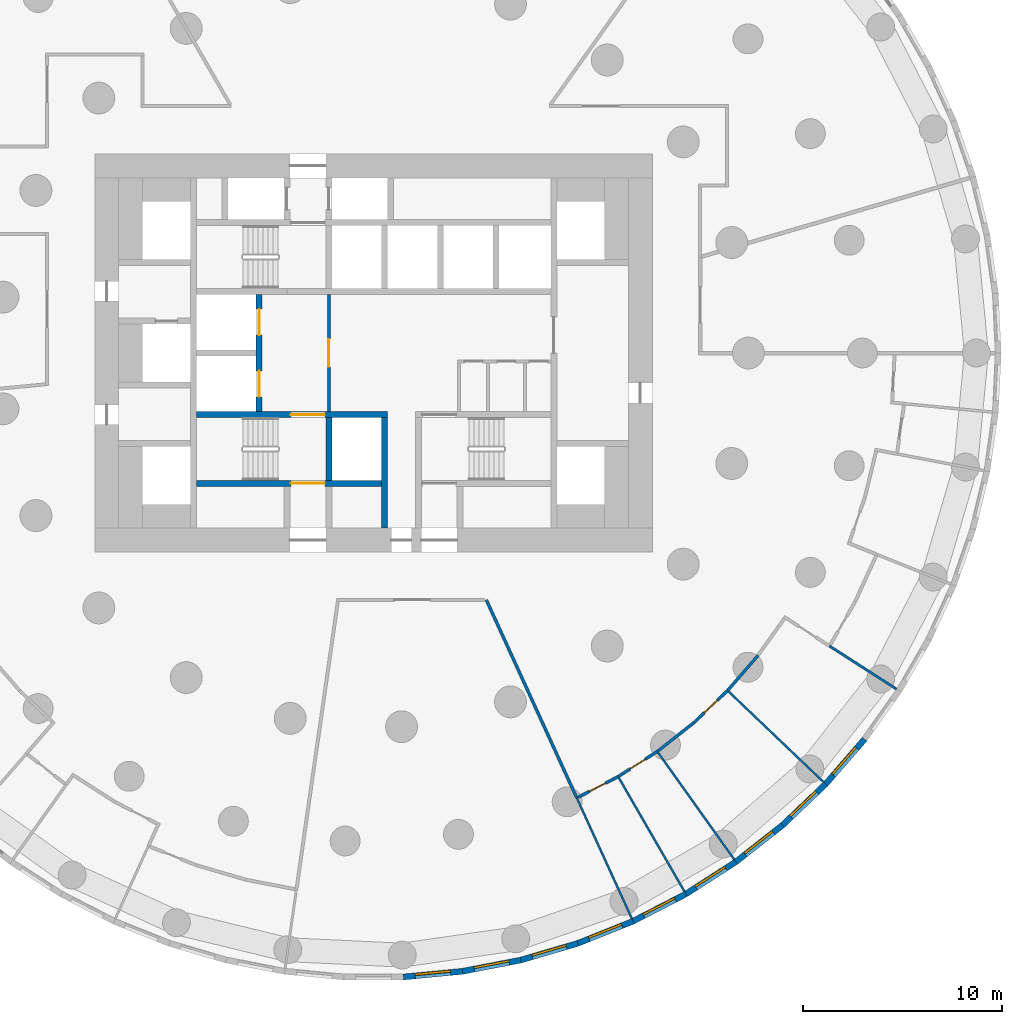
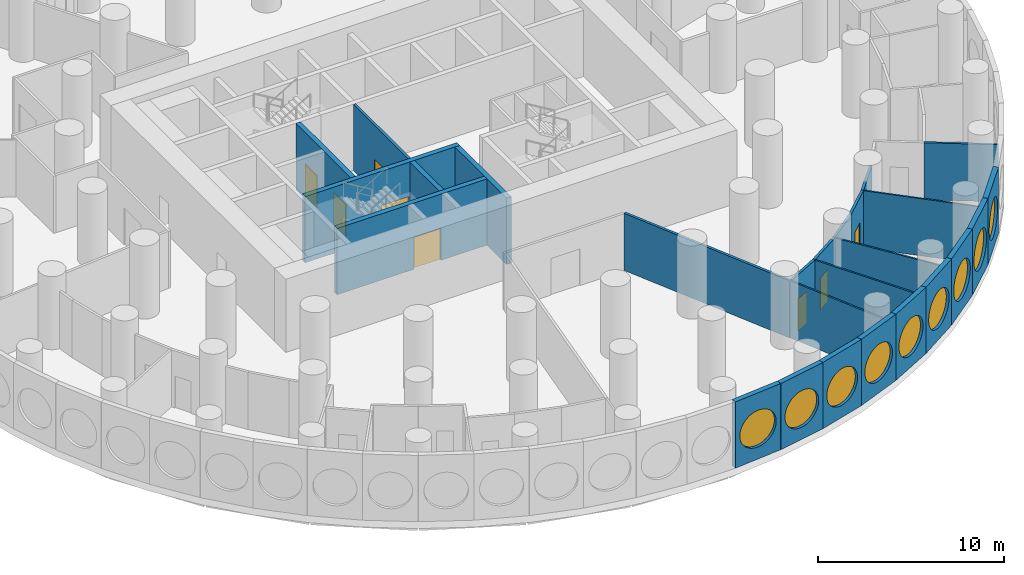
# One storey, part 4 of 11: 26 walls, 9 windows, 8 doors, 17 openings.
"""IFC4 building model written with IfcOpenShell, lengths in metres."""

from ifc_helpers import new_model, si_unit, direction, frame, frame_2d, origin, origin_2d, place, context, subcontext, project, spatial, rectangle, circle, extrude, material, layer, layer_set, type_object, element, fill, save


model = new_model("IFC4")

# Units and contexts
model_context = context("Model", 3, precision=1e-05, world=origin(), true_north=direction((0.0, 1.0)))
body_context = subcontext(model_context, "Body", "Model", "MODEL_VIEW")
ifc_project = project(units=[si_unit("LENGTHUNIT", "METRE"), si_unit("AREAUNIT", "SQUARE_METRE"), si_unit("VOLUMEUNIT", "CUBIC_METRE"), si_unit("PLANEANGLEUNIT", "RADIAN"), si_unit("MASSUNIT", "GRAM", prefix="KILO")], contexts=[model_context])

# Site, building, storey
site_placement = place(None, origin())
site = spatial("IfcSite", under=ifc_project, at=site_placement, CompositionType="ELEMENT")
building_placement = place(site_placement, origin())
building = spatial("IfcBuilding", under=site, at=building_placement, Name="Tracery Tower", CompositionType="ELEMENT")
storey_placement = place(building_placement, frame((0.0, 0.0, 18.60009765625)))
storey = spatial("IfcBuildingStorey", under=building, at=storey_placement, Name="L03", CompositionType="ELEMENT", Elevation=18.60009765625)

# Wall, opening, door
ifc_material_1 = material(Name="Plasterboard on steel studs", Category="steel")
ifc_layer_1 = layer(ifc_material_1, 0.14990234375)
ifc_layer_set_1 = layer_set([ifc_layer_1], Name="Core lobby partition 150")
wall_type_1 = type_object("IfcWallType", Name="Core lobby partition 150", PredefinedType="SOLIDWALL", material=ifc_layer_set_1)
wall_1_placement = place(storey_placement, frame((-2.25, -2.949951171875, 0.0), z_axis=(0.0, 0.0, 1.0), x_axis=(0.0, 1.0, 0.0)))
wall_1 = element("IfcWall", 1, at=wall_1_placement, inside=storey, type_object=wall_type_1, Name="L03 FF lobby E", PredefinedType="SOLIDWALL", context=body_context, shape_type="SweptSolid", body=[
    extrude(rectangle(XDim=5.89990234375, YDim=0.14990234375, at=frame_2d((2.949951171875, 0.0))), origin(), (0.0, 0.0, 1.0), 4.349853515625),
])
opening_1_placement = place(wall_1_placement, frame((2.25, 0.0, 0.0)))
opening_1 = element("IfcOpeningElement", 2, at=opening_1_placement, cuts=wall_1, Name="Opening KD8", PredefinedType="OPENING", context=body_context, shape_type="SweptSolid", body=[
    extrude(rectangle(XDim=1.39990234375, YDim=2.10009765625, at=frame_2d((0.699951171875, 1.050048828125))), frame((0.0, 0.074951171875, 0.0), z_axis=(0.0, -1.0, 0.0), x_axis=(1.0, 0.0, 0.0)), (0.0, 0.0, 1.0), 0.14990234375),
])
ifc_material_2 = material(Name="Steel fire door", Category="steel")
door_type_1 = type_object("IfcDoorType", Name="Core lobby door 1400 double", OperationType="NOTDEFINED", PredefinedType="DOOR", material=ifc_material_2)
door_1_placement = place(opening_1_placement, origin())
door_1 = element("IfcDoor", 3, at=door_1_placement, inside=storey, type_object=door_type_1, Name="Fire-fighting lobby door", OperationType="DOUBLE_DOOR_SINGLE_SWING", OverallHeight=2.10009765625, OverallWidth=1.39990234375, PredefinedType="DOOR", context=body_context, shape_type="SweptSolid", body=[
    extrude(rectangle(XDim=1.39990234375, YDim=2.10009765625, at=frame_2d((0.699951171875, 1.050048828125))), frame((0.0, 0.02490234375, 0.0), z_axis=(0.0, -1.0, 0.0), x_axis=(1.0, 0.0, 0.0)), (0.0, 0.0, 1.0), 0.050048828125),
])
fill(opening_1, door_1)

# Wall
ifc_material_3 = material(Name="Plasterboard on steel studs", Category="steel")
ifc_layer_2 = layer(ifc_material_3, 0.14990234375)
ifc_layer_set_2 = layer_set([ifc_layer_2], Name="Corridor partition 150")
wall_type_2 = type_object("IfcWallType", Name="Corridor partition 150", PredefinedType="PARTITIONING", material=ifc_layer_set_2)
wall_2_placement = place(storey_placement, frame((10.205322265625, -22.3466796875, 0.0), z_axis=(0.0, 0.0, 1.0), x_axis=(-0.415410432201, 0.909634087322, 0.0)))
element("IfcWall", 4, at=wall_2_placement, inside=storey, type_object=wall_type_2, Name="Corridor partition 150", PredefinedType="PARTITIONING", context=body_context, shape_type="SweptSolid", body=[
    extrude(rectangle(XDim=10.934814453125, YDim=0.14990234375, at=frame_2d((5.46728515625, 0.0))), origin(), (0.0, 0.0, 1.0), 3.75),
])

# Wall, opening, door
wall_3_placement = place(storey_placement, frame((12.283447265625, -21.275390625, 0.0), z_axis=(0.0, 0.0, 1.0), x_axis=(-0.888834753306, -0.458227870514, 0.0)))
wall_3 = element("IfcWall", 5, at=wall_3_placement, inside=storey, type_object=wall_type_2, Name="Corridor partition 150", PredefinedType="PARTITIONING", context=body_context, shape_type="SweptSolid", body=[
    extrude(rectangle(XDim=2.2626953125, YDim=0.14990234375, at=frame_2d((1.13134765625, 0.0))), origin(), (0.0, 0.0, 1.0), 3.75),
])
opening_2_placement = place(wall_3_placement, frame((0.718994140625, 0.0, 0.0)))
opening_2 = element("IfcOpeningElement", 6, at=opening_2_placement, cuts=wall_3, Name="Opening SB-L03-17", PredefinedType="OPENING", context=body_context, shape_type="SweptSolid", body=[
    extrude(rectangle(XDim=0.89990234375, YDim=2.10009765625, at=frame_2d((0.449951171875, 1.050048828125))), frame((0.0, 0.074951171875, 0.0), z_axis=(0.0, -1.0, 0.0), x_axis=(1.0, 0.0, 0.0)), (0.0, 0.0, 1.0), 0.14990234375),
])
ifc_material_4 = material(Name="Timber door leaf", Category="wood")
door_type_2 = type_object("IfcDoorType", Name="Room door 900", OperationType="NOTDEFINED", PredefinedType="DOOR", material=ifc_material_4)
door_2_placement = place(opening_2_placement, origin())
door_2 = element("IfcDoor", 7, at=door_2_placement, inside=storey, type_object=door_type_2, Name="Room door 900", OperationType="SINGLE_SWING_RIGHT", OverallHeight=2.10009765625, OverallWidth=0.89990234375, PredefinedType="DOOR", context=body_context, shape_type="SweptSolid", body=[
    extrude(rectangle(XDim=0.89990234375, YDim=2.10009765625, at=frame_2d((0.449951171875, 1.050048828125))), frame((0.0, 0.02490234375, 0.0), z_axis=(0.0, -1.0, 0.0), x_axis=(1.0, 0.0, 0.0)), (0.0, 0.0, 1.0), 0.050048828125),
])
fill(opening_2, door_2)

wall_4_placement = place(storey_placement, frame((14.25, -20.011474609375, 0.0), z_axis=(0.0, 0.0, 1.0), x_axis=(-0.841236155743, -0.540667855777, 0.0)))
wall_4 = element("IfcWall", 8, at=wall_4_placement, inside=storey, type_object=wall_type_2, Name="Corridor partition 150", PredefinedType="PARTITIONING", context=body_context, shape_type="SweptSolid", body=[
    extrude(rectangle(XDim=2.337646484375, YDim=0.14990234375, at=frame_2d((1.1689453125, 0.0))), origin(), (0.0, 0.0, 1.0), 3.75),
])
opening_3_placement = place(wall_4_placement, frame((0.718994140625, 0.0, 0.0)))
opening_3 = element("IfcOpeningElement", 9, at=opening_3_placement, cuts=wall_4, Name="Opening SB-L03-18", PredefinedType="OPENING", context=body_context, shape_type="SweptSolid", body=[
    extrude(rectangle(XDim=0.89990234375, YDim=2.10009765625, at=frame_2d((0.449951171875, 1.050048828125))), frame((0.0, 0.074951171875, 0.0), z_axis=(0.0, -1.0, 0.0), x_axis=(1.0, 0.0, 0.0)), (0.0, 0.0, 1.0), 0.14990234375),
])
door_3_placement = place(opening_3_placement, origin())
door_3 = element("IfcDoor", 10, at=door_3_placement, inside=storey, type_object=door_type_2, Name="Room door 900", OperationType="SINGLE_SWING_RIGHT", OverallHeight=2.10009765625, OverallWidth=0.89990234375, PredefinedType="DOOR", context=body_context, shape_type="SweptSolid", body=[
    extrude(rectangle(XDim=0.89990234375, YDim=2.10009765625, at=frame_2d((0.449951171875, 1.050048828125))), frame((0.0, 0.02490234375, 0.0), z_axis=(0.0, -1.0, 0.0), x_axis=(1.0, 0.0, 0.0)), (0.0, 0.0, 1.0), 0.050048828125),
])
fill(opening_3, door_3)

# Wall
wall_5_placement = place(storey_placement, frame((14.25, -20.011474609375, 0.0), z_axis=(0.0, 0.0, 1.0), x_axis=(0.786108126536, 0.618089001191, 0.0)))
element("IfcWall", 11, at=wall_5_placement, inside=storey, type_object=wall_type_2, Name="Corridor partition 150", PredefinedType="PARTITIONING", context=body_context, shape_type="SweptSolid", body=[
    extrude(rectangle(XDim=2.337890625, YDim=0.14990234375, at=frame_2d((1.1689453125, 0.0))), origin(), (0.0, 0.0, 1.0), 3.75),
])

# Wall, opening, door
wall_6_placement = place(storey_placement, frame((17.77978515625, -16.952880859375, 0.0), z_axis=(0.0, 0.0, 1.0), x_axis=(-0.723668407542, -0.690147836283, 0.0)))
wall_6 = element("IfcWall", 12, at=wall_6_placement, inside=storey, type_object=wall_type_2, Name="Corridor partition 150", PredefinedType="PARTITIONING", context=body_context, shape_type="SweptSolid", body=[
    extrude(rectangle(XDim=2.337890625, YDim=0.14990234375, at=frame_2d((1.1689453125, 0.0))), origin(), (0.0, 0.0, 1.0), 3.75),
])
opening_4_placement = place(wall_6_placement, frame((0.718994140625, 0.0, 0.0)))
opening_4 = element("IfcOpeningElement", 13, at=opening_4_placement, cuts=wall_6, Name="Opening SB-L03-19", PredefinedType="OPENING", context=body_context, shape_type="SweptSolid", body=[
    extrude(rectangle(XDim=0.89990234375, YDim=2.10009765625, at=frame_2d((0.449951171875, 1.050048828125))), frame((0.0, 0.074951171875, 0.0), z_axis=(0.0, -1.0, 0.0), x_axis=(1.0, 0.0, 0.0)), (0.0, 0.0, 1.0), 0.14990234375),
])
door_4_placement = place(opening_4_placement, origin())
door_4 = element("IfcDoor", 14, at=door_4_placement, inside=storey, type_object=door_type_2, Name="Room door 900", OperationType="SINGLE_SWING_RIGHT", OverallHeight=2.10009765625, OverallWidth=0.89990234375, PredefinedType="DOOR", context=body_context, shape_type="SweptSolid", body=[
    extrude(rectangle(XDim=0.89990234375, YDim=2.10009765625, at=frame_2d((0.449951171875, 1.050048828125))), frame((0.0, 0.02490234375, 0.0), z_axis=(0.0, -1.0, 0.0), x_axis=(1.0, 0.0, 0.0)), (0.0, 0.0, 1.0), 0.050048828125),
])
fill(opening_4, door_4)

# Wall
wall_7_placement = place(storey_placement, frame((17.77978515625, -16.952880859375, 0.0), z_axis=(0.0, 0.0, 1.0), x_axis=(0.654866925236, 0.755744209526, 0.0)))
element("IfcWall", 15, at=wall_7_placement, inside=storey, type_object=wall_type_2, Name="Corridor partition 150", PredefinedType="PARTITIONING", context=body_context, shape_type="SweptSolid", body=[
    extrude(rectangle(XDim=2.337890625, YDim=0.14990234375, at=frame_2d((1.1689453125, 0.0))), origin(), (0.0, 0.0, 1.0), 3.75),
])

# Wall, opening, window
ifc_material_5 = material(Name="Precast concrete C50/60", Category="concrete")
ifc_layer_3 = layer(ifc_material_5, 0.300048828125)
ifc_layer_set_3 = layer_set([ifc_layer_3], Name="Facade panel 3000 x 4350")
wall_type_3 = type_object("IfcWallType", Name="Facade panel 3000 x 4350", PredefinedType="SOLIDWALL", material=ifc_layer_set_3)
wall_8_placement = place(storey_placement, frame((1.492919921875, -31.3388671875, 0.0), z_axis=(0.0, 0.0, 1.0), x_axis=(0.99547560533, 0.095017467833, 0.0)))
wall_8 = element("IfcWall", 16, at=wall_8_placement, inside=storey, type_object=wall_type_3, Name="Facade panel 51 at L03", PredefinedType="SOLIDWALL", context=body_context, shape_type="SweptSolid", body=[
    extrude(rectangle(XDim=2.985595703125, YDim=0.300048828125, at=frame_2d((1.49267578125, 0.0))), origin(), (0.0, 0.0, 1.0), 4.349853515625),
])
opening_5_placement = place(wall_8_placement, frame((1.492919921875, 0.0, 2.0)))
opening_5 = element("IfcOpeningElement", 17, at=opening_5_placement, cuts=wall_8, Name="Opening WN2", PredefinedType="OPENING", context=body_context, shape_type="SweptSolid", body=[
    extrude(circle(Radius=1.199951171875, at=origin_2d()), frame((0.0, 0.159912109375, 0.0), z_axis=(0.0, -1.0, 0.0), x_axis=(1.0, 0.0, 0.0)), (0.0, 0.0, 1.0), 0.320068359375),
])
ifc_material_6 = material(Name="Aluminium frame with tinted double glazing", Category="aluminium")
window_type = type_object("IfcWindowType", Name="Round window 2400", PartitioningType="SINGLE_PANEL", PredefinedType="WINDOW", material=ifc_material_6)
window_1_placement = place(opening_5_placement, origin())
window_1 = element("IfcWindow", 18, at=window_1_placement, inside=storey, type_object=window_type, Name="Round window 51 at L03", OverallHeight=2.39990234375, OverallWidth=2.39990234375, PartitioningType="SINGLE_PANEL", PredefinedType="WINDOW", context=body_context, shape_type="SweptSolid", body=[
    extrude(circle(Radius=1.199951171875, at=origin_2d()), frame((0.0, 0.1201171875, 0.0), z_axis=(0.0, -1.0, 0.0), x_axis=(1.0, 0.0, 0.0)), (0.0, 0.0, 1.0), 0.10009765625),
])
fill(opening_5, window_1)

wall_9_placement = place(storey_placement, frame((4.465087890625, -31.05517578125, 0.0), z_axis=(0.0, 0.0, 1.0), x_axis=(0.981918853666, 0.189302310646, 0.0)))
wall_9 = element("IfcWall", 19, at=wall_9_placement, inside=storey, type_object=wall_type_3, Name="Facade panel 52 at L03", PredefinedType="SOLIDWALL", context=body_context, shape_type="SweptSolid", body=[
    extrude(rectangle(XDim=2.985595703125, YDim=0.300048828125, at=frame_2d((1.49267578125, 0.0))), origin(), (0.0, 0.0, 1.0), 4.349853515625),
])
opening_6_placement = place(wall_9_placement, frame((1.492919921875, 0.0, 2.0)))
opening_6 = element("IfcOpeningElement", 20, at=opening_6_placement, cuts=wall_9, Name="Opening WN2", PredefinedType="OPENING", context=body_context, shape_type="SweptSolid", body=[
    extrude(circle(Radius=1.199951171875, at=origin_2d()), frame((0.0, 0.159912109375, 0.0), z_axis=(0.0, -1.0, 0.0), x_axis=(1.0, 0.0, 0.0)), (0.0, 0.0, 1.0), 0.320068359375),
])
window_2_placement = place(opening_6_placement, origin())
window_2 = element("IfcWindow", 21, at=window_2_placement, inside=storey, type_object=window_type, Name="Round window 52 at L03", OverallHeight=2.39990234375, OverallWidth=2.39990234375, PartitioningType="SINGLE_PANEL", PredefinedType="WINDOW", context=body_context, shape_type="SweptSolid", body=[
    extrude(circle(Radius=1.199951171875, at=origin_2d()), frame((0.0, 0.1201171875, 0.0), z_axis=(0.0, -1.0, 0.0), x_axis=(1.0, 0.0, 0.0)), (0.0, 0.0, 1.0), 0.10009765625),
])
fill(opening_6, window_2)

wall_10_placement = place(storey_placement, frame((7.396728515625, -30.489990234375, 0.0), z_axis=(0.0, 0.0, 1.0), x_axis=(0.959502108153, 0.281701445593, 0.0)))
wall_10 = element("IfcWall", 22, at=wall_10_placement, inside=storey, type_object=wall_type_3, Name="Facade panel 53 at L03", PredefinedType="SOLIDWALL", context=body_context, shape_type="SweptSolid", body=[
    extrude(rectangle(XDim=2.985595703125, YDim=0.300048828125, at=frame_2d((1.49267578125, 0.0))), origin(), (0.0, 0.0, 1.0), 4.349853515625),
])
opening_7_placement = place(wall_10_placement, frame((1.492919921875, 0.0, 2.0)))
opening_7 = element("IfcOpeningElement", 23, at=opening_7_placement, cuts=wall_10, Name="Opening WN2", PredefinedType="OPENING", context=body_context, shape_type="SweptSolid", body=[
    extrude(circle(Radius=1.199951171875, at=origin_2d()), frame((0.0, 0.159912109375, 0.0), z_axis=(0.0, -1.0, 0.0), x_axis=(1.0, 0.0, 0.0)), (0.0, 0.0, 1.0), 0.320068359375),
])
window_3_placement = place(opening_7_placement, origin())
window_3 = element("IfcWindow", 24, at=window_3_placement, inside=storey, type_object=window_type, Name="Round window 53 at L03", OverallHeight=2.39990234375, OverallWidth=2.39990234375, PartitioningType="SINGLE_PANEL", PredefinedType="WINDOW", context=body_context, shape_type="SweptSolid", body=[
    extrude(circle(Radius=1.199951171875, at=origin_2d()), frame((0.0, 0.1201171875, 0.0), z_axis=(0.0, -1.0, 0.0), x_axis=(1.0, 0.0, 0.0)), (0.0, 0.0, 1.0), 0.10009765625),
])
fill(opening_7, window_3)

wall_11_placement = place(storey_placement, frame((10.261474609375, -29.64892578125, 0.0), z_axis=(0.0, 0.0, 1.0), x_axis=(0.928380795373, 0.371630325434, 0.0)))
wall_11 = element("IfcWall", 25, at=wall_11_placement, inside=storey, type_object=wall_type_3, Name="Facade panel 54 at L03", PredefinedType="SOLIDWALL", context=body_context, shape_type="SweptSolid", body=[
    extrude(rectangle(XDim=2.98583984375, YDim=0.300048828125, at=frame_2d((1.492919921875, 0.0))), origin(), (0.0, 0.0, 1.0), 4.349853515625),
])
opening_8_placement = place(wall_11_placement, frame((1.492919921875, 0.0, 2.0)))
opening_8 = element("IfcOpeningElement", 26, at=opening_8_placement, cuts=wall_11, Name="Opening WN2", PredefinedType="OPENING", context=body_context, shape_type="SweptSolid", body=[
    extrude(circle(Radius=1.199951171875, at=origin_2d()), frame((0.0, 0.159912109375, 0.0), z_axis=(0.0, -1.0, 0.0), x_axis=(1.0, 0.0, 0.0)), (0.0, 0.0, 1.0), 0.320068359375),
])
window_4_placement = place(opening_8_placement, origin())
window_4 = element("IfcWindow", 27, at=window_4_placement, inside=storey, type_object=window_type, Name="Round window 54 at L03", OverallHeight=2.39990234375, OverallWidth=2.39990234375, PartitioningType="SINGLE_PANEL", PredefinedType="WINDOW", context=body_context, shape_type="SweptSolid", body=[
    extrude(circle(Radius=1.199951171875, at=origin_2d()), frame((0.0, 0.1201171875, 0.0), z_axis=(0.0, -1.0, 0.0), x_axis=(1.0, 0.0, 0.0)), (0.0, 0.0, 1.0), 0.10009765625),
])
fill(opening_8, window_4)

wall_12_placement = place(storey_placement, frame((13.033447265625, -28.539306640625, 0.0), z_axis=(0.0, 0.0, 1.0), x_axis=(0.888831268481, 0.458234630043, 0.0)))
wall_12 = element("IfcWall", 28, at=wall_12_placement, inside=storey, type_object=wall_type_3, Name="Facade panel 55 at L03", PredefinedType="SOLIDWALL", context=body_context, shape_type="SweptSolid", body=[
    extrude(rectangle(XDim=2.98583984375, YDim=0.300048828125, at=frame_2d((1.492919921875, 0.0))), origin(), (0.0, 0.0, 1.0), 4.349853515625),
])
opening_9_placement = place(wall_12_placement, frame((1.492919921875, 0.0, 2.0)))
opening_9 = element("IfcOpeningElement", 29, at=opening_9_placement, cuts=wall_12, Name="Opening WN2", PredefinedType="OPENING", context=body_context, shape_type="SweptSolid", body=[
    extrude(circle(Radius=1.199951171875, at=origin_2d()), frame((0.0, 0.159912109375, 0.0), z_axis=(0.0, -1.0, 0.0), x_axis=(1.0, 0.0, 0.0)), (0.0, 0.0, 1.0), 0.320068359375),
])
window_5_placement = place(opening_9_placement, origin())
window_5 = element("IfcWindow", 30, at=window_5_placement, inside=storey, type_object=window_type, Name="Round window 55 at L03", OverallHeight=2.39990234375, OverallWidth=2.39990234375, PartitioningType="SINGLE_PANEL", PredefinedType="WINDOW", context=body_context, shape_type="SweptSolid", body=[
    extrude(circle(Radius=1.199951171875, at=origin_2d()), frame((0.0, 0.1201171875, 0.0), z_axis=(0.0, -1.0, 0.0), x_axis=(1.0, 0.0, 0.0)), (0.0, 0.0, 1.0), 0.10009765625),
])
fill(opening_9, window_5)

wall_13_placement = place(storey_placement, frame((15.687255859375, -27.171142578125, 0.0), z_axis=(0.0, 0.0, 1.0), x_axis=(0.841242231846, 0.540658401727, 0.0)))
wall_13 = element("IfcWall", 31, at=wall_13_placement, inside=storey, type_object=wall_type_3, Name="Facade panel 56 at L03", PredefinedType="SOLIDWALL", context=body_context, shape_type="SweptSolid", body=[
    extrude(rectangle(XDim=2.98583984375, YDim=0.300048828125, at=frame_2d((1.492919921875, 0.0))), origin(), (0.0, 0.0, 1.0), 4.349853515625),
])
opening_10_placement = place(wall_13_placement, frame((1.492919921875, 0.0, 2.0)))
opening_10 = element("IfcOpeningElement", 32, at=opening_10_placement, cuts=wall_13, Name="Opening WN2", PredefinedType="OPENING", context=body_context, shape_type="SweptSolid", body=[
    extrude(circle(Radius=1.199951171875, at=origin_2d()), frame((0.0, 0.159912109375, 0.0), z_axis=(0.0, -1.0, 0.0), x_axis=(1.0, 0.0, 0.0)), (0.0, 0.0, 1.0), 0.320068359375),
])
window_6_placement = place(opening_10_placement, origin())
window_6 = element("IfcWindow", 33, at=window_6_placement, inside=storey, type_object=window_type, Name="Round window 56 at L03", OverallHeight=2.39990234375, OverallWidth=2.39990234375, PartitioningType="SINGLE_PANEL", PredefinedType="WINDOW", context=body_context, shape_type="SweptSolid", body=[
    extrude(circle(Radius=1.199951171875, at=origin_2d()), frame((0.0, 0.1201171875, 0.0), z_axis=(0.0, -1.0, 0.0), x_axis=(1.0, 0.0, 0.0)), (0.0, 0.0, 1.0), 0.10009765625),
])
fill(opening_10, window_6)

wall_14_placement = place(storey_placement, frame((18.198974609375, -25.556884765625, 0.0), z_axis=(0.0, 0.0, 1.0), x_axis=(0.786043032847, 0.618171780747, 0.0)))
wall_14 = element("IfcWall", 34, at=wall_14_placement, inside=storey, type_object=wall_type_3, Name="Facade panel 57 at L03", PredefinedType="SOLIDWALL", context=body_context, shape_type="SweptSolid", body=[
    extrude(rectangle(XDim=2.98583984375, YDim=0.300048828125, at=frame_2d((1.492919921875, 0.0))), origin(), (0.0, 0.0, 1.0), 4.349853515625),
])
opening_11_placement = place(wall_14_placement, frame((1.492919921875, 0.0, 2.0)))
opening_11 = element("IfcOpeningElement", 35, at=opening_11_placement, cuts=wall_14, Name="Opening WN2", PredefinedType="OPENING", context=body_context, shape_type="SweptSolid", body=[
    extrude(circle(Radius=1.199951171875, at=origin_2d()), frame((0.0, 0.159912109375, 0.0), z_axis=(0.0, -1.0, 0.0), x_axis=(1.0, 0.0, 0.0)), (0.0, 0.0, 1.0), 0.320068359375),
])
window_7_placement = place(opening_11_placement, origin())
window_7 = element("IfcWindow", 36, at=window_7_placement, inside=storey, type_object=window_type, Name="Round window 57 at L03", OverallHeight=2.39990234375, OverallWidth=2.39990234375, PartitioningType="SINGLE_PANEL", PredefinedType="WINDOW", context=body_context, shape_type="SweptSolid", body=[
    extrude(circle(Radius=1.199951171875, at=origin_2d()), frame((0.0, 0.1201171875, 0.0), z_axis=(0.0, -1.0, 0.0), x_axis=(1.0, 0.0, 0.0)), (0.0, 0.0, 1.0), 0.10009765625),
])
fill(opening_11, window_7)

wall_15_placement = place(storey_placement, frame((20.5458984375, -23.711181640625, 0.0), z_axis=(0.0, 0.0, 1.0), x_axis=(0.723750841228, 0.690061388444, 0.0)))
wall_15 = element("IfcWall", 37, at=wall_15_placement, inside=storey, type_object=wall_type_3, Name="Facade panel 58 at L03", PredefinedType="SOLIDWALL", context=body_context, shape_type="SweptSolid", body=[
    extrude(rectangle(XDim=2.985595703125, YDim=0.300048828125, at=frame_2d((1.49267578125, 0.0))), origin(), (0.0, 0.0, 1.0), 4.349853515625),
])
opening_12_placement = place(wall_15_placement, frame((1.492919921875, 0.0, 2.0)))
opening_12 = element("IfcOpeningElement", 38, at=opening_12_placement, cuts=wall_15, Name="Opening WN2", PredefinedType="OPENING", context=body_context, shape_type="SweptSolid", body=[
    extrude(circle(Radius=1.199951171875, at=origin_2d()), frame((0.0, 0.159912109375, 0.0), z_axis=(0.0, -1.0, 0.0), x_axis=(1.0, 0.0, 0.0)), (0.0, 0.0, 1.0), 0.320068359375),
])
window_8_placement = place(opening_12_placement, origin())
window_8 = element("IfcWindow", 39, at=window_8_placement, inside=storey, type_object=window_type, Name="Round window 58 at L03", OverallHeight=2.39990234375, OverallWidth=2.39990234375, PartitioningType="SINGLE_PANEL", PredefinedType="WINDOW", context=body_context, shape_type="SweptSolid", body=[
    extrude(circle(Radius=1.199951171875, at=origin_2d()), frame((0.0, 0.1201171875, 0.0), z_axis=(0.0, -1.0, 0.0), x_axis=(1.0, 0.0, 0.0)), (0.0, 0.0, 1.0), 0.10009765625),
])
fill(opening_12, window_8)

wall_16_placement = place(storey_placement, frame((22.706787109375, -21.65087890625, 0.0), z_axis=(0.0, 0.0, 1.0), x_axis=(0.654809121128, 0.755794294029, 0.0)))
wall_16 = element("IfcWall", 40, at=wall_16_placement, inside=storey, type_object=wall_type_3, Name="Facade panel 59 at L03", PredefinedType="SOLIDWALL", context=body_context, shape_type="SweptSolid", body=[
    extrude(rectangle(XDim=2.98583984375, YDim=0.300048828125, at=frame_2d((1.492919921875, 0.0))), origin(), (0.0, 0.0, 1.0), 4.349853515625),
])
opening_13_placement = place(wall_16_placement, frame((1.492919921875, 0.0, 2.0)))
opening_13 = element("IfcOpeningElement", 41, at=opening_13_placement, cuts=wall_16, Name="Opening WN2", PredefinedType="OPENING", context=body_context, shape_type="SweptSolid", body=[
    extrude(circle(Radius=1.199951171875, at=origin_2d()), frame((0.0, 0.159912109375, 0.0), z_axis=(0.0, -1.0, 0.0), x_axis=(1.0, 0.0, 0.0)), (0.0, 0.0, 1.0), 0.320068359375),
])
window_9_placement = place(opening_13_placement, origin())
window_9 = element("IfcWindow", 42, at=window_9_placement, inside=storey, type_object=window_type, Name="Round window 59 at L03", OverallHeight=2.39990234375, OverallWidth=2.39990234375, PartitioningType="SINGLE_PANEL", PredefinedType="WINDOW", context=body_context, shape_type="SweptSolid", body=[
    extrude(circle(Radius=1.199951171875, at=origin_2d()), frame((0.0, 0.1201171875, 0.0), z_axis=(0.0, -1.0, 0.0), x_axis=(1.0, 0.0, 0.0)), (0.0, 0.0, 1.0), 0.10009765625),
])
fill(opening_13, window_9)

# Wall, openings, doors
ifc_material_7 = material(Name="Concrete C60/75", Category="concrete")
ifc_layer_4 = layer(ifc_material_7, 0.300048828125)
ifc_layer_set_4 = layer_set([ifc_layer_4], Name="Shaft wall 300 C60")
wall_type_4 = type_object("IfcWallType", Name="Shaft wall 300 C60", PredefinedType="SOLIDWALL", material=ifc_layer_set_4)
wall_17_placement = place(storey_placement, frame((-5.75, -2.949951171875, 0.0), z_axis=(0.0, 0.0, 1.0), x_axis=(0.0, 1.0, 0.0)))
wall_17 = element("IfcWall", 43, at=wall_17_placement, inside=storey, type_object=wall_type_4, Name="L03 FF doors", PredefinedType="SOLIDWALL", context=body_context, shape_type="SweptSolid", body=[
    extrude(rectangle(XDim=5.89990234375, YDim=0.300048828125, at=frame_2d((2.949951171875, 0.0))), origin(), (0.0, 0.0, 1.0), 4.349853515625),
])
opening_14_placement = place(wall_17_placement, frame((0.75, 0.0, 0.0)))
opening_14 = element("IfcOpeningElement", 44, at=opening_14_placement, cuts=wall_17, Name="Opening KD54", PredefinedType="OPENING", context=body_context, shape_type="SweptSolid", body=[
    extrude(rectangle(XDim=1.300048828125, YDim=2.10009765625, at=frame_2d((0.64990234375, 1.050048828125))), frame((0.0, 0.14990234375, 0.0), z_axis=(0.0, -1.0, 0.0), x_axis=(1.0, 0.0, 0.0)), (0.0, 0.0, 1.0), 0.300048828125),
])
opening_15_placement = place(wall_17_placement, frame((3.85009765625, 0.0, 0.0)))
opening_15 = element("IfcOpeningElement", 45, at=opening_15_placement, cuts=wall_17, Name="Opening KD55", PredefinedType="OPENING", context=body_context, shape_type="SweptSolid", body=[
    extrude(rectangle(XDim=1.300048828125, YDim=2.10009765625, at=frame_2d((0.64990234375, 1.050048828125))), frame((0.0, 0.14990234375, 0.0), z_axis=(0.0, -1.0, 0.0), x_axis=(1.0, 0.0, 0.0)), (0.0, 0.0, 1.0), 0.300048828125),
])
ifc_material_8 = material(Name="Steel fire door", Category="steel")
door_type_3 = type_object("IfcDoorType", Name="Landing door FF 1300", OperationType="NOTDEFINED", PredefinedType="DOOR", material=ifc_material_8)
door_5_placement = place(opening_14_placement, origin())
door_5 = element("IfcDoor", 46, at=door_5_placement, inside=storey, type_object=door_type_3, Name="Landing door FF1", OperationType="SLIDING_TO_LEFT", OverallHeight=2.10009765625, OverallWidth=1.300048828125, PredefinedType="DOOR", context=body_context, shape_type="SweptSolid", body=[
    extrude(rectangle(XDim=1.300048828125, YDim=2.10009765625, at=frame_2d((0.64990234375, 1.050048828125))), frame((0.0, 0.02490234375, 0.0), z_axis=(0.0, -1.0, 0.0), x_axis=(1.0, 0.0, 0.0)), (0.0, 0.0, 1.0), 0.050048828125),
])
fill(opening_14, door_5)
door_6_placement = place(opening_15_placement, origin())
door_6 = element("IfcDoor", 47, at=door_6_placement, inside=storey, type_object=door_type_3, Name="Landing door FF2", OperationType="SLIDING_TO_RIGHT", OverallHeight=2.10009765625, OverallWidth=1.300048828125, PredefinedType="DOOR", context=body_context, shape_type="SweptSolid", body=[
    extrude(rectangle(XDim=1.300048828125, YDim=2.10009765625, at=frame_2d((0.64990234375, 1.050048828125))), frame((0.0, 0.02490234375, 0.0), z_axis=(0.0, -1.0, 0.0), x_axis=(1.0, 0.0, 0.0)), (0.0, 0.0, 1.0), 0.050048828125),
])
fill(opening_15, door_6)

# Wall
wall_18_placement = place(storey_placement, frame((0.550048828125, -8.800048828125, 0.0), z_axis=(0.0, 0.0, 1.0), x_axis=(0.0, 1.0, 0.0)))
element("IfcWall", 48, at=wall_18_placement, inside=storey, type_object=wall_type_4, Name="L03 OB2 E", PredefinedType="SOLIDWALL", context=body_context, shape_type="SweptSolid", body=[
    extrude(rectangle(XDim=5.550048828125, YDim=0.300048828125, at=frame_2d((2.77490234375, 0.0))), origin(), (0.0, 0.0, 1.0), 4.349853515625),
])

# Wall, opening, door
ifc_material_9 = material(Name="Concrete C60/75", Category="concrete")
ifc_layer_5 = layer(ifc_material_9, 0.300048828125)
ifc_layer_set_5 = layer_set([ifc_layer_5], Name="Stair wall 300 C60")
wall_type_5 = type_object("IfcWallType", Name="Stair wall 300 C60", PredefinedType="SOLIDWALL", material=ifc_layer_set_5)
wall_19_placement = place(storey_placement, frame((-8.89990234375, -3.10009765625, 0.0), z_axis=(0.0, 0.0, 1.0), x_axis=(1.0, 0.0, 0.0)))
wall_19 = element("IfcWall", 49, at=wall_19_placement, inside=storey, type_object=wall_type_5, Name="L03 row S", PredefinedType="SOLIDWALL", context=body_context, shape_type="SweptSolid", body=[
    extrude(rectangle(XDim=9.599853515625, YDim=0.300048828125, at=frame_2d((4.7998046875, 0.0))), origin(), (0.0, 0.0, 1.0), 4.349853515625),
])
opening_16_placement = place(wall_19_placement, frame((4.75, 0.0, 0.0)))
opening_16 = element("IfcOpeningElement", 50, at=opening_16_placement, cuts=wall_19, Name="Opening KD3", PredefinedType="OPENING", context=body_context, shape_type="SweptSolid", body=[
    extrude(rectangle(XDim=1.699951171875, YDim=2.10009765625, at=frame_2d((0.85009765625, 1.050048828125))), frame((0.0, 0.14990234375, 0.0), z_axis=(0.0, -1.0, 0.0), x_axis=(1.0, 0.0, 0.0)), (0.0, 0.0, 1.0), 0.300048828125),
])
ifc_material_10 = material(Name="Steel fire door", Category="steel")
door_type_4 = type_object("IfcDoorType", Name="Core stair door 1700 double", OperationType="NOTDEFINED", PredefinedType="DOOR", material=ifc_material_10)
door_7_placement = place(opening_16_placement, origin())
door_7 = element("IfcDoor", 51, at=door_7_placement, inside=storey, type_object=door_type_4, Name="Stair door ST1", OperationType="DOUBLE_DOOR_SINGLE_SWING", OverallHeight=2.10009765625, OverallWidth=1.699951171875, PredefinedType="DOOR", context=body_context, shape_type="SweptSolid", body=[
    extrude(rectangle(XDim=1.699951171875, YDim=2.10009765625, at=frame_2d((0.85009765625, 1.050048828125))), frame((0.0, 0.02490234375, 0.0), z_axis=(0.0, -1.0, 0.0), x_axis=(1.0, 0.0, 0.0)), (0.0, 0.0, 1.0), 0.050048828125),
])
fill(opening_16, door_7)

# Wall
wall_20_placement = place(storey_placement, frame((-2.25, -6.39990234375, 0.0), z_axis=(0.0, 0.0, 1.0), x_axis=(0.0, 1.0, 0.0)))
element("IfcWall", 52, at=wall_20_placement, inside=storey, type_object=wall_type_5, Name="L03 ST1 E", PredefinedType="SOLIDWALL", context=body_context, shape_type="SweptSolid", body=[
    extrude(rectangle(XDim=3.14990234375, YDim=0.300048828125, at=frame_2d((1.574951171875, 0.0))), origin(), (0.0, 0.0, 1.0), 4.349853515625),
])

# Wall, opening, door
wall_21_placement = place(storey_placement, frame((-8.89990234375, -6.550048828125, 0.0), z_axis=(0.0, 0.0, 1.0), x_axis=(1.0, 0.0, 0.0)))
wall_21 = element("IfcWall", 53, at=wall_21_placement, inside=storey, type_object=wall_type_5, Name="L03 F S W", PredefinedType="SOLIDWALL", context=body_context, shape_type="SweptSolid", body=[
    extrude(rectangle(XDim=9.2998046875, YDim=0.300048828125, at=frame_2d((4.64990234375, 0.0))), origin(), (0.0, 0.0, 1.0), 4.349853515625),
])
opening_17_placement = place(wall_21_placement, frame((4.75, 0.0, 0.0)))
opening_17 = element("IfcOpeningElement", 54, at=opening_17_placement, cuts=wall_21, Name="Opening KD3", PredefinedType="OPENING", context=body_context, shape_type="SweptSolid", body=[
    extrude(rectangle(XDim=1.699951171875, YDim=2.10009765625, at=frame_2d((0.85009765625, 1.050048828125))), frame((0.0, 0.14990234375, 0.0), z_axis=(0.0, -1.0, 0.0), x_axis=(1.0, 0.0, 0.0)), (0.0, 0.0, 1.0), 0.300048828125),
])
door_8_placement = place(opening_17_placement, origin())
door_8 = element("IfcDoor", 55, at=door_8_placement, inside=storey, type_object=door_type_4, Name="Stair door ST1 S", OperationType="DOUBLE_DOOR_SINGLE_SWING", OverallHeight=2.10009765625, OverallWidth=1.699951171875, PredefinedType="DOOR", context=body_context, shape_type="SweptSolid", body=[
    extrude(rectangle(XDim=1.699951171875, YDim=2.10009765625, at=frame_2d((0.85009765625, 1.050048828125))), frame((0.0, 0.02490234375, 0.0), z_axis=(0.0, -1.0, 0.0), x_axis=(1.0, 0.0, 0.0)), (0.0, 0.0, 1.0), 0.050048828125),
])
fill(opening_17, door_8)

# Walls
ifc_material_11 = material(Name="Plasterboard on steel studs", Category="steel")
ifc_layer_6 = layer(ifc_material_11, 0.10009765625)
ifc_layer_set_6 = layer_set([ifc_layer_6], Name="Stud partition 100")
wall_type_6 = type_object("IfcWallType", Name="Stud partition 100", PredefinedType="PARTITIONING", material=ifc_layer_set_6)
wall_22_placement = place(storey_placement, frame((12.970947265625, -28.402587890625, 0.0), z_axis=(0.0, 0.0, 1.0), x_axis=(-0.415413073128, 0.909632881263, 0.0)))
element("IfcWall", 56, at=wall_22_placement, inside=storey, type_object=wall_type_6, Name="Stud partition 100", PredefinedType="PARTITIONING", context=body_context, shape_type="SweptSolid", body=[
    extrude(rectangle(XDim=6.657470703125, YDim=0.10009765625, at=frame_2d((3.32861328125, 0.0))), origin(), (0.0, 0.0, 1.0), 3.75),
])
wall_23_placement = place(storey_placement, frame((15.612060546875, -27.041015625, 0.0), z_axis=(0.0, 0.0, 1.0), x_axis=(-0.499996417602, 0.866027472073, 0.0)))
element("IfcWall", 57, at=wall_23_placement, inside=storey, type_object=wall_type_6, Name="Stud partition 100", PredefinedType="PARTITIONING", context=body_context, shape_type="SweptSolid", body=[
    extrude(rectangle(XDim=6.58251953125, YDim=0.10009765625, at=frame_2d((3.291259765625, 0.0))), origin(), (0.0, 0.0, 1.0), 3.75),
])
wall_24_placement = place(storey_placement, frame((18.11181640625, -25.4345703125, 0.0), z_axis=(0.0, 0.0, 1.0), x_axis=(-0.580055201519, 0.814577168346, 0.0)))
element("IfcWall", 58, at=wall_24_placement, inside=storey, type_object=wall_type_6, Name="Stud partition 100", PredefinedType="PARTITIONING", context=body_context, shape_type="SweptSolid", body=[
    extrude(rectangle(XDim=6.582275390625, YDim=0.10009765625, at=frame_2d((3.291015625, 0.0))), origin(), (0.0, 0.0, 1.0), 3.75),
])
wall_25_placement = place(storey_placement, frame((22.59814453125, -21.547119140625, 0.0), z_axis=(0.0, 0.0, 1.0), x_axis=(-0.723762960711, 0.690048677054, 0.0)))
element("IfcWall", 59, at=wall_25_placement, inside=storey, type_object=wall_type_6, Name="Stud partition 100", PredefinedType="PARTITIONING", context=body_context, shape_type="SweptSolid", body=[
    extrude(rectangle(XDim=6.58251953125, YDim=0.10009765625, at=frame_2d((3.291259765625, 0.0))), origin(), (0.0, 0.0, 1.0), 3.75),
])
ifc_material_12 = material(Name="Plasterboard on steel studs", Category="steel")
ifc_layer_7 = layer(ifc_material_12, 0.125)
ifc_layer_set_7 = layer_set([ifc_layer_7], Name="Wet area partition 125")
wall_type_7 = type_object("IfcWallType", Name="Wet area partition 125", PredefinedType="PARTITIONING", material=ifc_layer_set_7)
wall_26_placement = place(storey_placement, frame((26.267578125, -16.881103515625, 0.0), z_axis=(0.0, 0.0, 1.0), x_axis=(-0.841255718443, 0.540637416563, 0.0)))
element("IfcWall", 60, at=wall_26_placement, inside=storey, type_object=wall_type_7, Name="Wet area partition 125", PredefinedType="PARTITIONING", context=body_context, shape_type="SweptSolid", body=[
    extrude(rectangle(XDim=4.004638671875, YDim=0.125, at=frame_2d((2.00244140625, 0.0))), origin(), (0.0, 0.0, 1.0), 3.75),
])

save(model, "model.ifc")
